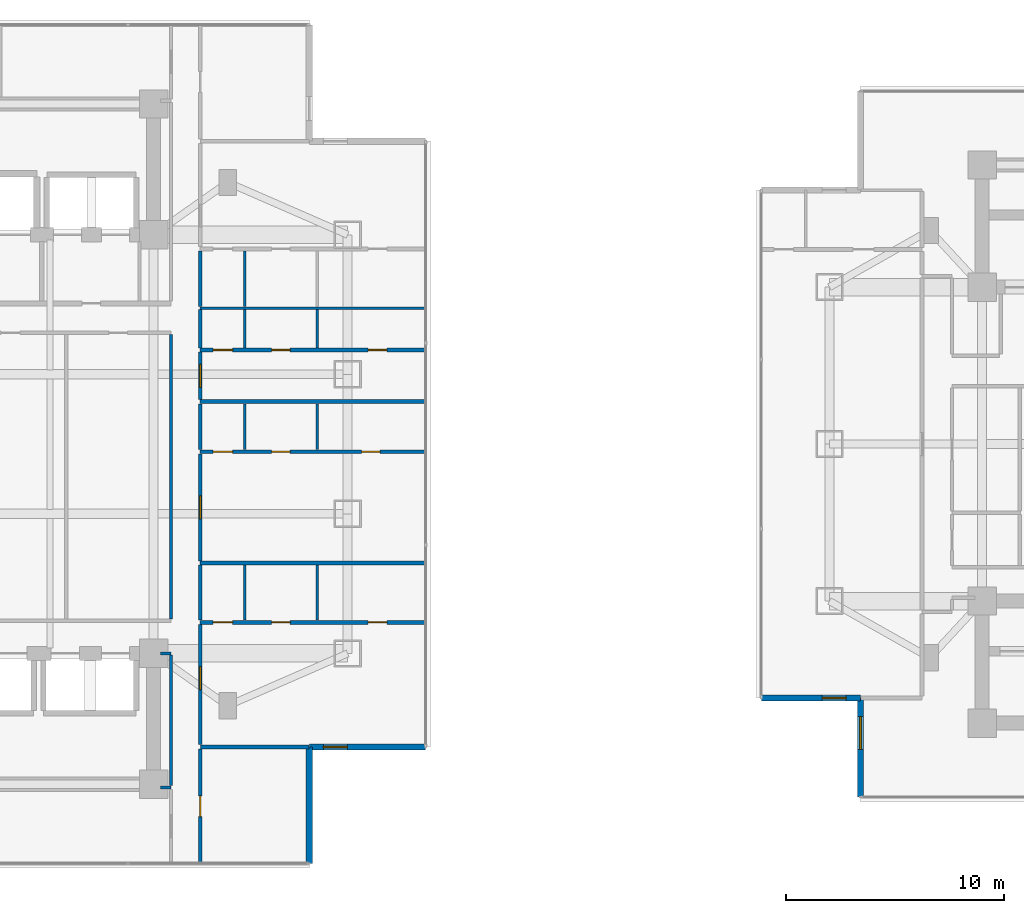
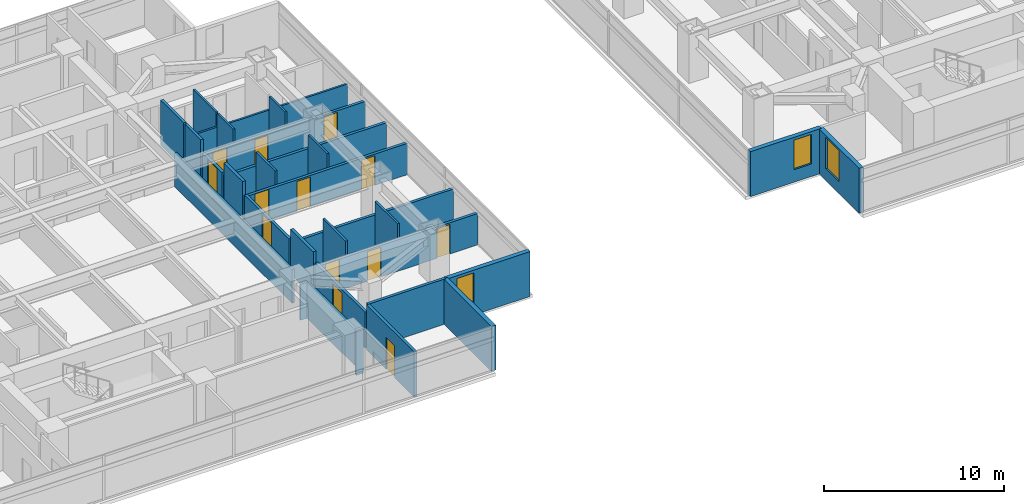
# One storey, part 15 of 24: 30 walls, 13 doors, 3 windows, 16 openings.
"""IFC4 building model written with IfcOpenShell, lengths in metres."""

import ifcopenshell
import ifcopenshell.guid

model = None  # the IFC model being written
_history = None  # IfcOwnerHistory: only IFC2X3 demands one
_inside = {}  # id of a spatial element -> (the spatial element, [elements in it])
_under = {}  # id of a project, library or spatial element -> (it, [spatial elements below it])
_declared = {}  # id of a project -> (the project, [libraries it declares])
_typed = {}  # id of a type object -> (the type object, [elements of that type])
_made_of = {}  # id of a material, layer set ... -> (it, [elements and type objects made of it])


def new_model(schema):
    """Start an empty IFC model of exactly this schema.

    Asked for "IFC4X3", IfcOpenShell would pick the latest addendum, in which some entities
    have other attributes; the version numbers below select the first issue.
    IFC2X3 requires an IfcOwnerHistory on every rooted entity: one is made here for all.
    """
    global model, _history
    if schema == "IFC4X3":
        model = ifcopenshell.file(schema_version=(4, 3, 0, 0))
    else:
        model = ifcopenshell.file(schema=schema)
    _inside.clear()
    _under.clear()
    _declared.clear()
    _typed.clear()
    _made_of.clear()
    _history = None
    if model.schema == "IFC2X3":
        org = make("IfcOrganization", Name="unknown")
        user = make(
            "IfcPersonAndOrganization",
            ThePerson=make("IfcPerson", FamilyName="unknown"),
            TheOrganization=org,
        )
        app = make(
            "IfcApplication",
            ApplicationDeveloper=org,
            Version="unknown",
            ApplicationFullName="unknown",
            ApplicationIdentifier="unknown",
        )
        _history = make(
            "IfcOwnerHistory",
            OwningUser=user,
            OwningApplication=app,
            ChangeAction="ADDED",
            CreationDate=0,
        )
    return model


def make(cls, **values):
    """One entity of the class cls with the attributes given. An attribute that is None is left unset."""
    return model.create_entity(
        cls, **{name: value for name, value in values.items() if value is not None}
    )


def rooted(cls, **values):
    """An entity with a GlobalId (a new one), such as an element, a storey or a relation."""
    return make(cls, GlobalId=ifcopenshell.guid.new(), OwnerHistory=_history, **values)


def si_unit(unit_type, name, prefix=None):
    """IfcSIUnit, for example si_unit("LENGTHUNIT", "METRE", prefix="MILLI")."""
    return make("IfcSIUnit", UnitType=unit_type, Prefix=prefix, Name=name)


def assignment(units):
    """IfcUnitAssignment: the units of a project."""
    return None if units is None else make("IfcUnitAssignment", Units=units)


def point(xyz):
    """IfcCartesianPoint."""
    return None if xyz is None else make("IfcCartesianPoint", Coordinates=xyz)


def direction(xyz):
    """IfcDirection."""
    return None if xyz is None else make("IfcDirection", DirectionRatios=xyz)


def frame(location, z_axis=None, x_axis=None):
    """IfcAxis2Placement3D, a coordinate frame: its origin and axes. An axis left out is left unset."""
    return make(
        "IfcAxis2Placement3D",
        Location=point(location),
        Axis=direction(z_axis),
        RefDirection=direction(x_axis),
    )


def frame_2d(location, x_axis=None):
    """IfcAxis2Placement2D, a coordinate frame in the plane: its origin and x axis."""
    return make(
        "IfcAxis2Placement2D", Location=point(location), RefDirection=direction(x_axis)
    )


def origin():
    """The frame at (0, 0, 0) with its axes left unset."""
    return frame((0.0, 0.0, 0.0))


def place(relative_to, where):
    """IfcLocalPlacement: puts the frame where relative to a parent placement (None: the world)."""
    return make(
        "IfcLocalPlacement", PlacementRelTo=relative_to, RelativePlacement=where
    )


def context(
    kind, dimensions, precision=None, world=None, true_north=None, identifier=None
):
    """IfcGeometricRepresentationContext, for example the 3D "Model" context."""
    return make(
        "IfcGeometricRepresentationContext",
        ContextIdentifier=identifier,
        ContextType=kind,
        CoordinateSpaceDimension=dimensions,
        Precision=precision,
        WorldCoordinateSystem=world,
        TrueNorth=true_north,
    )


def subcontext(parent, identifier, kind, view, scale=None):
    """IfcGeometricRepresentationSubContext, for example "Body" below "Model"."""
    return make(
        "IfcGeometricRepresentationSubContext",
        ContextIdentifier=identifier,
        ContextType=kind,
        ParentContext=parent,
        TargetScale=scale,
        TargetView=view,
    )


def project(units=None, contexts=None):
    """IfcProject with its units and contexts."""
    return rooted(
        "IfcProject",
        Name="project",
        RepresentationContexts=contexts,
        UnitsInContext=assignment(units),
    )


def spatial(cls, under=None, at=None, **own):
    """A site, building, storey or space (cls), placed at a placement, below another one or the project."""
    s = rooted(cls, ObjectPlacement=at, **own)
    if under is not None:
        _under.setdefault(under.id(), (under, []))[1].append(s)
    return s


def profile(cls, at=None, kind="AREA", **sizes):
    """A parametric profile (cls). Its sizes go by their IFC names, for example OverallWidth=200.0."""
    return make(cls, ProfileType=kind, Position=at, **sizes)


def rectangle(**sizes):
    """IfcRectangleProfileDef."""
    return profile("IfcRectangleProfileDef", **sizes)


def extrude(swept, where, along, depth):
    """IfcExtrudedAreaSolid: the profile swept, set in the frame where, extruded along a direction by depth."""
    return make(
        "IfcExtrudedAreaSolid",
        SweptArea=swept,
        Position=where,
        ExtrudedDirection=direction(along),
        Depth=depth,
    )


def shape(context_of_items, identifier, shape_type, items):
    """IfcShapeRepresentation: the items that make up one representation, for example the "Body"."""
    return make(
        "IfcShapeRepresentation",
        ContextOfItems=context_of_items,
        RepresentationIdentifier=identifier,
        RepresentationType=shape_type,
        Items=items,
    )


def material(Name=None, Category=None):
    """IfcMaterial."""
    return make("IfcMaterial", Name=Name, Category=Category)


def layer(
    of_material, thickness, ventilated=None, Name=None, Category=None, Priority=None
):
    """IfcMaterialLayer: one layer of a wall or slab, of a material (None: an air gap)."""
    return make(
        "IfcMaterialLayer",
        Material=of_material,
        LayerThickness=thickness,
        IsVentilated=ventilated,
        Name=Name,
        Category=Category,
        Priority=Priority,
    )


def layer_set(layers, Name=None):
    """IfcMaterialLayerSet."""
    return make("IfcMaterialLayerSet", MaterialLayers=layers, LayerSetName=Name)


def made_of(thing, what):
    """Note that an element or type object is made of a material, layer set ...; save() writes the relation."""
    if what is not None:
        _made_of.setdefault(what.id(), (what, []))[1].append(thing)
    return thing


def type_object(cls, material=None, **own):
    """A type object (cls), such as IfcWallType, which elements share."""
    return made_of(rooted(cls, **own), material)


def element(
    cls,
    number,
    at=None,
    inside=None,
    cuts=None,
    type_object=None,
    material=None,
    context=None,
    identifier="Body",
    shape_type=None,
    held_by="IfcProductDefinitionShape",
    body=None,
    shapes=None,
    **own,
):
    """One element of the class cls, such as IfcWall. Its Tag is "e" and its number.

    at: its placement. inside: the storey or other place that contains it. cuts: it is an
    opening in that element (IfcRelVoidsElement). A single representation is given by context,
    identifier, shape_type and body (its items); several are given by shapes. held_by: the class
    of the entity that holds the representations. save() writes the other relations.
    """
    e = rooted(cls, Tag="e%d" % number, ObjectPlacement=at, **own)
    if body is not None:
        shapes = [shape(context, identifier, shape_type, body)]
    if shapes is not None:
        e.Representation = make(held_by, Representations=shapes)
    if inside is not None:
        _inside.setdefault(inside.id(), (inside, []))[1].append(e)
    if cuts is not None:
        rooted(
            "IfcRelVoidsElement", RelatingBuildingElement=cuts, RelatedOpeningElement=e
        )
    if type_object is not None:
        _typed.setdefault(type_object.id(), (type_object, []))[1].append(e)
    return made_of(e, material)


def fill(opening, filler):
    """IfcRelFillsElement: the door or window that sits in an opening."""
    return rooted(
        "IfcRelFillsElement",
        RelatingOpeningElement=opening,
        RelatedBuildingElement=filler,
    )


def aggregate(whole, parts):
    """IfcRelAggregates: a whole, such as a stair, and the parts it consists of."""
    return rooted("IfcRelAggregates", RelatingObject=whole, RelatedObjects=parts)


def save(model, path):
    """Write the relations noted so far, then the file.

    IfcRelAggregates (storeys below a building ...), IfcRelContainedInSpatialStructure (elements
    in a storey), IfcRelDefinesByType, IfcRelAssociatesMaterial and IfcRelDeclares: one each for
    every whole, place, type object, material and project.
    """
    for whole, parts in _under.values():
        aggregate(whole, parts)
    for where, things in _inside.values():
        rooted(
            "IfcRelContainedInSpatialStructure",
            RelatedElements=things,
            RelatingStructure=where,
        )
    for kind, things in _typed.values():
        rooted("IfcRelDefinesByType", RelatedObjects=things, RelatingType=kind)
    for what, things in _made_of.values():
        rooted("IfcRelAssociatesMaterial", RelatedObjects=things, RelatingMaterial=what)
    for by, libraries in _declared.values():
        rooted("IfcRelDeclares", RelatingContext=by, RelatedDefinitions=libraries)
    model.write(path)


model = new_model("IFC4")

# Units and contexts
model_context = context("Model", 3, precision=1e-05, world=origin(), true_north=direction((0.0, 1.0)))
body_context = subcontext(model_context, "Body", "Model", "MODEL_VIEW")
ifc_project = project(units=[si_unit("LENGTHUNIT", "METRE"), si_unit("AREAUNIT", "SQUARE_METRE"), si_unit("VOLUMEUNIT", "CUBIC_METRE"), si_unit("PLANEANGLEUNIT", "RADIAN"), si_unit("MASSUNIT", "GRAM", prefix="KILO")], contexts=[model_context])

# Site, building, storey
site_placement = place(None, origin())
site = spatial("IfcSite", under=ifc_project, at=site_placement, CompositionType="ELEMENT")
building_placement = place(site_placement, origin())
building = spatial("IfcBuilding", under=site, at=building_placement, Name="Mirazonda Arch Towers", CompositionType="ELEMENT")
storey_placement = place(building_placement, frame((0.0, 0.0, 68.60009765625)))
storey = spatial("IfcBuildingStorey", under=building, at=storey_placement, Name="L19", CompositionType="ELEMENT", Elevation=68.60009765625)

# Wall, opening, window
ifc_material_1 = material(Name="Precast Concrete C40/50", Category="concrete")
ifc_layer_1 = layer(ifc_material_1, 0.280029296875, Name="WALL-EXT-WALL-280")
ifc_layer_set_1 = layer_set([ifc_layer_1], Name="Precast Concrete C40/50")
wall_type_1 = type_object("IfcWallType", Name="WALL-EXT-WALL-280", PredefinedType="SOLIDWALL", material=ifc_layer_set_1)
wall_1_placement = place(storey_placement, frame((37.139892578125, 14.110107421875, 0.0), z_axis=(0.0, 0.0, 1.0), x_axis=(1.0, 0.0, 0.0)))
wall_1 = element("IfcWall", 1, at=wall_1_placement, inside=storey, type_object=wall_type_1, Name="L19 T1 Corner Notch Return Wall WL-L19-T1-CSE1", PredefinedType="SOLIDWALL", context=body_context, shape_type="SweptSolid", body=[
    extrude(rectangle(XDim=5.340087890625, YDim=0.280029296875, at=frame_2d((2.669921875, 0.0))), origin(), (0.0, 0.0, 1.0), 3.039794921875),
])
opening_1_placement = place(wall_1_placement, frame((0.64990234375, 0.0, 0.85009765625)))
opening_1 = element("IfcOpeningElement", 2, at=opening_1_placement, cuts=wall_1, Name="Opening WN-108", PredefinedType="OPENING", context=body_context, shape_type="SweptSolid", body=[
    extrude(rectangle(XDim=1.10009765625, YDim=2.0, at=frame_2d((0.550048828125, 1.0))), frame((0.0, 0.14990234375, 0.0), z_axis=(0.0, -1.0, 0.0), x_axis=(1.0, 0.0, 0.0)), (0.0, 0.0, 1.0), 0.300048828125),
])
ifc_material_2 = material(Name="Insulated Low-E Solar Glass", Category="glass")
window_type_1 = type_object("IfcWindowType", Name="WIN-NOTCH-1100x2000", PartitioningType="SINGLE_PANEL", PredefinedType="WINDOW", material=ifc_material_2)
window_1_placement = place(opening_1_placement, origin())
window_1 = element("IfcWindow", 3, at=window_1_placement, inside=storey, type_object=window_type_1, Name="L19 Punched Facade Window WN-L19-T1-CSE1", OverallHeight=2.0, OverallWidth=1.10009765625, PartitioningType="SINGLE_PANEL", PredefinedType="WINDOW", context=body_context, shape_type="SweptSolid", body=[
    extrude(rectangle(XDim=1.10009765625, YDim=2.0, at=frame_2d((0.550048828125, 1.0))), frame((0.0, 0.030029296875, 0.0), z_axis=(0.0, -1.0, 0.0), x_axis=(1.0, 0.0, 0.0)), (0.0, 0.0, 1.0), 0.06005859375),
])
fill(opening_1, window_1)

# Wall
wall_2_placement = place(storey_placement, frame((37.139892578125, 8.77001953125, 0.0), z_axis=(0.0, 0.0, 1.0), x_axis=(0.0, 1.0, 0.0)))
element("IfcWall", 4, at=wall_2_placement, inside=storey, type_object=wall_type_1, Name="L19 T1 Corner Notch Return Wall WL-L19-T1-CSE2", PredefinedType="SOLIDWALL", context=body_context, shape_type="SweptSolid", body=[
    extrude(rectangle(XDim=5.340087890625, YDim=0.280029296875, at=frame_2d((2.669921875, 0.0))), origin(), (0.0, 0.0, 1.0), 3.039794921875),
])

# Wall, opening, window
wall_3_placement = place(storey_placement, frame((62.416015625, 16.353515625, 0.0), z_axis=(0.0, 0.0, 1.0), x_axis=(0.0, -1.0, 0.0)))
wall_3 = element("IfcWall", 5, at=wall_3_placement, inside=storey, type_object=wall_type_1, Name="L19 T2 Notched SW Corner Wall WL-L19-T2-CSW", PredefinedType="SOLIDWALL", context=body_context, shape_type="SweptSolid", body=[
    extrude(rectangle(XDim=4.5458984375, YDim=0.280029296875, at=frame_2d((2.27294921875, 0.0))), origin(), (0.0, 0.0, 1.0), 3.039794921875),
])
opening_2_placement = place(wall_3_placement, frame((0.85009765625, 0.0, 0.7900390625)))
opening_2 = element("IfcOpeningElement", 6, at=opening_2_placement, cuts=wall_3, Name="Opening WN-120", PredefinedType="OPENING", context=body_context, shape_type="SweptSolid", body=[
    extrude(rectangle(XDim=1.5, YDim=2.10009765625, at=frame_2d((0.75, 1.050048828125))), frame((0.0, 0.14990234375, 0.0), z_axis=(0.0, -1.0, 0.0), x_axis=(1.0, 0.0, 0.0)), (0.0, 0.0, 1.0), 0.300048828125),
])
window_type_2 = type_object("IfcWindowType", Name="WIN-HTL-1500x2100", PartitioningType="SINGLE_PANEL", PredefinedType="WINDOW", material=ifc_material_2)
window_2_placement = place(opening_2_placement, origin())
window_2 = element("IfcWindow", 7, at=window_2_placement, inside=storey, type_object=window_type_2, Name="L19 Punched Facade Window WN-L19-T2-CSW", OverallHeight=2.10009765625, OverallWidth=1.5, PartitioningType="SINGLE_PANEL", PredefinedType="WINDOW", context=body_context, shape_type="SweptSolid", body=[
    extrude(rectangle(XDim=1.5, YDim=2.10009765625, at=frame_2d((0.75, 1.050048828125))), frame((0.0, 0.030029296875, 0.0), z_axis=(0.0, -1.0, 0.0), x_axis=(1.0, 0.0, 0.0)), (0.0, 0.0, 1.0), 0.06005859375),
])
fill(opening_2, window_2)

wall_4_placement = place(storey_placement, frame((57.8701171875, 16.353515625, 0.0), z_axis=(0.0, 0.0, 1.0), x_axis=(1.0, 0.0, 0.0)))
wall_4 = element("IfcWall", 8, at=wall_4_placement, inside=storey, type_object=wall_type_1, Name="L19 T2 Corner Notch Return Wall WL-L19-T2-CSW2", PredefinedType="SOLIDWALL", context=body_context, shape_type="SweptSolid", body=[
    extrude(rectangle(XDim=4.5458984375, YDim=0.280029296875, at=frame_2d((2.27294921875, 0.0))), origin(), (0.0, 0.0, 1.0), 3.039794921875),
])
opening_3_placement = place(wall_4_placement, frame((2.7958984375, 0.0, 0.85009765625)))
opening_3 = element("IfcOpeningElement", 9, at=opening_3_placement, cuts=wall_4, Name="Opening WN-108", PredefinedType="OPENING", context=body_context, shape_type="SweptSolid", body=[
    extrude(rectangle(XDim=1.10009765625, YDim=2.0, at=frame_2d((0.550048828125, 1.0))), frame((0.0, 0.14990234375, 0.0), z_axis=(0.0, -1.0, 0.0), x_axis=(1.0, 0.0, 0.0)), (0.0, 0.0, 1.0), 0.300048828125),
])
window_3_placement = place(opening_3_placement, origin())
window_3 = element("IfcWindow", 10, at=window_3_placement, inside=storey, type_object=window_type_1, Name="L19 Punched Facade Window WN-L19-T2-CSW2", OverallHeight=2.0, OverallWidth=1.10009765625, PartitioningType="SINGLE_PANEL", PredefinedType="WINDOW", context=body_context, shape_type="SweptSolid", body=[
    extrude(rectangle(XDim=1.10009765625, YDim=2.0, at=frame_2d((0.550048828125, 1.0))), frame((0.0, 0.030029296875, 0.0), z_axis=(0.0, -1.0, 0.0), x_axis=(1.0, 0.0, 0.0)), (0.0, 0.0, 1.0), 0.06005859375),
])
fill(opening_3, window_3)

# Walls
ifc_material_3 = material(Name="Fire-Rated Gypsum Stud Partition")
ifc_layer_2 = layer(ifc_material_3, 0.14990234375, Name="WALL-PART-CORR-150")
ifc_layer_set_2 = layer_set([ifc_layer_2], Name="Fire-Rated Gypsum Stud Partition")
wall_type_2 = type_object("IfcWallType", Name="WALL-PART-CORR-150", PredefinedType="PARTITIONING", material=ifc_layer_set_2)
wall_5_placement = place(storey_placement, frame((30.320068359375, 12.25, 0.0), z_axis=(0.0, 0.0, 1.0), x_axis=(1.0, 0.0, 0.0)))
element("IfcWall", 11, at=wall_5_placement, inside=storey, type_object=wall_type_2, Name="L19 Interior Partition 002", PredefinedType="PARTITIONING", context=body_context, shape_type="SweptSolid", body=[
    extrude(rectangle(XDim=0.47998046875, YDim=0.14990234375, at=frame_2d((0.239990234375, 0.0))), origin(), (0.0, 0.0, 1.0), 3.059814453125),
])
wall_6_placement = place(storey_placement, frame((30.320068359375, 18.39990234375, 0.0), z_axis=(0.0, 0.0, 1.0), x_axis=(1.0, 0.0, 0.0)))
element("IfcWall", 12, at=wall_6_placement, inside=storey, type_object=wall_type_2, Name="L19 Interior Partition 013", PredefinedType="PARTITIONING", context=body_context, shape_type="SweptSolid", body=[
    extrude(rectangle(XDim=0.47998046875, YDim=0.14990234375, at=frame_2d((0.239990234375, 0.0))), origin(), (0.0, 0.0, 1.0), 2.435791015625),
])
wall_7_placement = place(storey_placement, frame((30.800048828125, 12.3349609375, 0.0), z_axis=(0.0, 0.0, 1.0), x_axis=(0.0, 1.0, 0.0)))
element("IfcWall", 13, at=wall_7_placement, inside=storey, type_object=wall_type_2, Name="L19 Interior Partition 097", PredefinedType="PARTITIONING", context=body_context, shape_type="SweptSolid", body=[
    extrude(rectangle(XDim=5.97998046875, YDim=0.14990234375, at=frame_2d((2.989990234375, 0.0))), origin(), (0.0, 0.0, 1.0), 2.435791015625),
])
wall_8_placement = place(storey_placement, frame((30.800048828125, 19.985107421875, 0.0), z_axis=(0.0, 0.0, 1.0), x_axis=(0.0, 1.0, 0.0)))
element("IfcWall", 14, at=wall_8_placement, inside=storey, type_object=wall_type_2, Name="L19 Interior Partition 098", PredefinedType="PARTITIONING", context=body_context, shape_type="SweptSolid", body=[
    extrude(rectangle(XDim=13.02978515625, YDim=0.14990234375, at=frame_2d((6.514892578125, 0.0))), origin(), (0.0, 0.0, 1.0), 2.27880859375),
])
ifc_material_4 = material(Name="Fire-Rated Gypsum Twin-Stud Assembly")
ifc_layer_3 = layer(ifc_material_4, 0.179931640625, Name="WALL-PART-DEMISE-180")
ifc_layer_set_3 = layer_set([ifc_layer_3], Name="Fire-Rated Gypsum Twin-Stud Assembly")
wall_type_3 = type_object("IfcWallType", Name="WALL-PART-DEMISE-180", PredefinedType="PARTITIONING", material=ifc_layer_set_3)
wall_9_placement = place(storey_placement, frame((32.139892578125, 14.110107421875, 0.0), z_axis=(0.0, 0.0, 1.0), x_axis=(1.0, 0.0, 0.0)))
element("IfcWall", 15, at=wall_9_placement, inside=storey, type_object=wall_type_3, Name="L19 Interior Partition 005", PredefinedType="PARTITIONING", context=body_context, shape_type="SweptSolid", body=[
    extrude(rectangle(XDim=4.980224609375, YDim=0.179931640625, at=frame_2d((2.490234375, 0.0))), origin(), (0.0, 0.0, 1.0), 3.059814453125),
])

# Wall, openings, doors
wall_10_placement = place(storey_placement, frame((32.139892578125, 19.825927734375, 0.0), z_axis=(0.0, 0.0, 1.0), x_axis=(1.0, 0.0, 0.0)))
wall_10 = element("IfcWall", 16, at=wall_10_placement, inside=storey, type_object=wall_type_3, Name="L19 Interior Partition 016", PredefinedType="PARTITIONING", context=body_context, shape_type="SweptSolid", body=[
    extrude(rectangle(XDim=10.340087890625, YDim=0.179931640625, at=frame_2d((5.169921875, 0.0))), origin(), (0.0, 0.0, 1.0), 2.125),
])
opening_4_placement = place(wall_10_placement, frame((7.705078125, 0.0, 0.0)))
opening_4 = element("IfcOpeningElement", 17, at=opening_4_placement, cuts=wall_10, Name="Opening DR-128", PredefinedType="OPENING", context=body_context, shape_type="SweptSolid", body=[
    extrude(rectangle(XDim=0.85009765625, YDim=2.010009765625, at=frame_2d((0.425048828125, 1.0048828125))), frame((0.0, 0.099853515625, 0.0), z_axis=(0.0, -1.0, 0.0), x_axis=(1.0, 0.0, 0.0)), (0.0, 0.0, 1.0), 0.199951171875),
])
opening_5_placement = place(wall_10_placement, frame((3.27490234375, 0.0, 0.0)))
opening_5 = element("IfcOpeningElement", 18, at=opening_5_placement, cuts=wall_10, Name="Opening DR-128", PredefinedType="OPENING", context=body_context, shape_type="SweptSolid", body=[
    extrude(rectangle(XDim=0.85009765625, YDim=2.010009765625, at=frame_2d((0.425048828125, 1.0048828125))), frame((0.0, 0.099853515625, 0.0), z_axis=(0.0, -1.0, 0.0), x_axis=(1.0, 0.0, 0.0)), (0.0, 0.0, 1.0), 0.199951171875),
])
opening_6_placement = place(wall_10_placement, frame((0.590087890625, 0.0, 0.0)))
opening_6 = element("IfcOpeningElement", 19, at=opening_6_placement, cuts=wall_10, Name="Opening DR-120", PredefinedType="OPENING", context=body_context, shape_type="SweptSolid", body=[
    extrude(rectangle(XDim=0.89990234375, YDim=2.10009765625, at=frame_2d((0.449951171875, 1.050048828125))), frame((0.0, 0.099853515625, 0.0), z_axis=(0.0, -1.0, 0.0), x_axis=(1.0, 0.0, 0.0)), (0.0, 0.0, 1.0), 0.199951171875),
])
ifc_material_5 = material(Name="Architectural Brushed Steel S355", Category="steel")
door_type_1 = type_object("IfcDoorType", Name="DOOR-RISER-FD60-850", OperationType="NOTDEFINED", PredefinedType="DOOR", material=ifc_material_5)
door_1_placement = place(opening_4_placement, origin())
door_1 = element("IfcDoor", 20, at=door_1_placement, inside=storey, type_object=door_type_1, Name="L19 Residence 1 Principal Bedroom Door", OperationType="SINGLE_SWING_RIGHT", OverallHeight=2.010009765625, OverallWidth=0.85009765625, PredefinedType="DOOR", context=body_context, shape_type="SweptSolid", body=[
    extrude(rectangle(XDim=0.85009765625, YDim=2.010009765625, at=frame_2d((0.425048828125, 1.0048828125))), frame((0.0, 0.02490234375, 0.0), z_axis=(0.0, -1.0, 0.0), x_axis=(1.0, 0.0, 0.0)), (0.0, 0.0, 1.0), 0.050048828125),
])
fill(opening_4, door_1)
door_2_placement = place(opening_5_placement, origin())
door_2 = element("IfcDoor", 21, at=door_2_placement, inside=storey, type_object=door_type_1, Name="L19 Residence 1 Fitted Kitchen Door", OperationType="SINGLE_SWING_LEFT", OverallHeight=2.010009765625, OverallWidth=0.85009765625, PredefinedType="DOOR", context=body_context, shape_type="SweptSolid", body=[
    extrude(rectangle(XDim=0.85009765625, YDim=2.010009765625, at=frame_2d((0.425048828125, 1.0048828125))), frame((0.0, 0.02490234375, 0.0), z_axis=(0.0, -1.0, 0.0), x_axis=(1.0, 0.0, 0.0)), (0.0, 0.0, 1.0), 0.050048828125),
])
fill(opening_5, door_2)
door_type_2 = type_object("IfcDoorType", Name="DOOR-WC-900", OperationType="NOTDEFINED", PredefinedType="DOOR", material=ifc_material_5)
door_3_placement = place(opening_6_placement, origin())
door_3 = element("IfcDoor", 22, at=door_3_placement, inside=storey, type_object=door_type_2, Name="L19 Residence 1 Bathroom Door", OperationType="SINGLE_SWING_RIGHT", OverallHeight=2.10009765625, OverallWidth=0.89990234375, PredefinedType="DOOR", context=body_context, shape_type="SweptSolid", body=[
    extrude(rectangle(XDim=0.89990234375, YDim=2.10009765625, at=frame_2d((0.449951171875, 1.050048828125))), frame((0.0, 0.02490234375, 0.0), z_axis=(0.0, -1.0, 0.0), x_axis=(1.0, 0.0, 0.0)), (0.0, 0.0, 1.0), 0.050048828125),
])
fill(opening_6, door_3)

# Wall
wall_11_placement = place(storey_placement, frame((32.139892578125, 22.5458984375, 0.0), z_axis=(0.0, 0.0, 1.0), x_axis=(1.0, 0.0, 0.0)))
element("IfcWall", 23, at=wall_11_placement, inside=storey, type_object=wall_type_3, Name="L19 Interior Partition 022", PredefinedType="PARTITIONING", context=body_context, shape_type="SweptSolid", body=[
    extrude(rectangle(XDim=10.340087890625, YDim=0.179931640625, at=frame_2d((5.169921875, 0.0))), origin(), (0.0, 0.0, 1.0), 2.125),
])

# Wall, openings, doors
wall_12_placement = place(storey_placement, frame((32.139892578125, 27.64794921875, 0.0), z_axis=(0.0, 0.0, 1.0), x_axis=(1.0, 0.0, 0.0)))
wall_12 = element("IfcWall", 24, at=wall_12_placement, inside=storey, type_object=wall_type_3, Name="L19 Interior Partition 031", PredefinedType="PARTITIONING", context=body_context, shape_type="SweptSolid", body=[
    extrude(rectangle(XDim=10.340087890625, YDim=0.179931640625, at=frame_2d((5.169921875, 0.0))), origin(), (0.0, 0.0, 1.0), 2.125),
])
opening_7_placement = place(wall_12_placement, frame((7.405029296875, 0.0, 0.0)))
opening_7 = element("IfcOpeningElement", 25, at=opening_7_placement, cuts=wall_12, Name="Opening DR-128", PredefinedType="OPENING", context=body_context, shape_type="SweptSolid", body=[
    extrude(rectangle(XDim=0.85009765625, YDim=2.010009765625, at=frame_2d((0.425048828125, 1.0048828125))), frame((0.0, 0.099853515625, 0.0), z_axis=(0.0, -1.0, 0.0), x_axis=(1.0, 0.0, 0.0)), (0.0, 0.0, 1.0), 0.199951171875),
])
opening_8_placement = place(wall_12_placement, frame((3.27490234375, 0.0, 0.0)))
opening_8 = element("IfcOpeningElement", 26, at=opening_8_placement, cuts=wall_12, Name="Opening DR-128", PredefinedType="OPENING", context=body_context, shape_type="SweptSolid", body=[
    extrude(rectangle(XDim=0.85009765625, YDim=2.010009765625, at=frame_2d((0.425048828125, 1.0048828125))), frame((0.0, 0.099853515625, 0.0), z_axis=(0.0, -1.0, 0.0), x_axis=(1.0, 0.0, 0.0)), (0.0, 0.0, 1.0), 0.199951171875),
])
opening_9_placement = place(wall_12_placement, frame((0.590087890625, 0.0, 0.0)))
opening_9 = element("IfcOpeningElement", 27, at=opening_9_placement, cuts=wall_12, Name="Opening DR-120", PredefinedType="OPENING", context=body_context, shape_type="SweptSolid", body=[
    extrude(rectangle(XDim=0.89990234375, YDim=2.10009765625, at=frame_2d((0.449951171875, 1.050048828125))), frame((0.0, 0.099853515625, 0.0), z_axis=(0.0, -1.0, 0.0), x_axis=(1.0, 0.0, 0.0)), (0.0, 0.0, 1.0), 0.199951171875),
])
door_4_placement = place(opening_7_placement, origin())
door_4 = element("IfcDoor", 28, at=door_4_placement, inside=storey, type_object=door_type_1, Name="L19 Residence 2 Principal Bedroom Door", OperationType="SINGLE_SWING_RIGHT", OverallHeight=2.010009765625, OverallWidth=0.85009765625, PredefinedType="DOOR", context=body_context, shape_type="SweptSolid", body=[
    extrude(rectangle(XDim=0.85009765625, YDim=2.010009765625, at=frame_2d((0.425048828125, 1.0048828125))), frame((0.0, 0.02490234375, 0.0), z_axis=(0.0, -1.0, 0.0), x_axis=(1.0, 0.0, 0.0)), (0.0, 0.0, 1.0), 0.050048828125),
])
fill(opening_7, door_4)
door_5_placement = place(opening_8_placement, origin())
door_5 = element("IfcDoor", 29, at=door_5_placement, inside=storey, type_object=door_type_1, Name="L19 Residence 2 Fitted Kitchen Door", OperationType="SINGLE_SWING_LEFT", OverallHeight=2.010009765625, OverallWidth=0.85009765625, PredefinedType="DOOR", context=body_context, shape_type="SweptSolid", body=[
    extrude(rectangle(XDim=0.85009765625, YDim=2.010009765625, at=frame_2d((0.425048828125, 1.0048828125))), frame((0.0, 0.02490234375, 0.0), z_axis=(0.0, -1.0, 0.0), x_axis=(1.0, 0.0, 0.0)), (0.0, 0.0, 1.0), 0.050048828125),
])
fill(opening_8, door_5)
door_6_placement = place(opening_9_placement, origin())
door_6 = element("IfcDoor", 30, at=door_6_placement, inside=storey, type_object=door_type_2, Name="L19 Residence 2 Bathroom Door", OperationType="SINGLE_SWING_RIGHT", OverallHeight=2.10009765625, OverallWidth=0.89990234375, PredefinedType="DOOR", context=body_context, shape_type="SweptSolid", body=[
    extrude(rectangle(XDim=0.89990234375, YDim=2.10009765625, at=frame_2d((0.449951171875, 1.050048828125))), frame((0.0, 0.02490234375, 0.0), z_axis=(0.0, -1.0, 0.0), x_axis=(1.0, 0.0, 0.0)), (0.0, 0.0, 1.0), 0.050048828125),
])
fill(opening_9, door_6)

# Wall
wall_13_placement = place(storey_placement, frame((32.139892578125, 29.947998046875, 0.0), z_axis=(0.0, 0.0, 1.0), x_axis=(1.0, 0.0, 0.0)))
element("IfcWall", 31, at=wall_13_placement, inside=storey, type_object=wall_type_3, Name="L19 Interior Partition 033", PredefinedType="PARTITIONING", context=body_context, shape_type="SweptSolid", body=[
    extrude(rectangle(XDim=10.340087890625, YDim=0.179931640625, at=frame_2d((5.169921875, 0.0))), origin(), (0.0, 0.0, 1.0), 2.125),
])

# Wall, openings, doors
wall_14_placement = place(storey_placement, frame((32.139892578125, 32.31396484375, 0.0), z_axis=(0.0, 0.0, 1.0), x_axis=(1.0, 0.0, 0.0)))
wall_14 = element("IfcWall", 32, at=wall_14_placement, inside=storey, type_object=wall_type_3, Name="L19 Interior Partition 037", PredefinedType="PARTITIONING", context=body_context, shape_type="SweptSolid", body=[
    extrude(rectangle(XDim=10.340087890625, YDim=0.179931640625, at=frame_2d((5.169921875, 0.0))), origin(), (0.0, 0.0, 1.0), 2.125),
])
opening_10_placement = place(wall_14_placement, frame((7.705078125, 0.0, 0.0)))
opening_10 = element("IfcOpeningElement", 33, at=opening_10_placement, cuts=wall_14, Name="Opening DR-128", PredefinedType="OPENING", context=body_context, shape_type="SweptSolid", body=[
    extrude(rectangle(XDim=0.85009765625, YDim=2.010009765625, at=frame_2d((0.425048828125, 1.0048828125))), frame((0.0, 0.099853515625, 0.0), z_axis=(0.0, -1.0, 0.0), x_axis=(1.0, 0.0, 0.0)), (0.0, 0.0, 1.0), 0.199951171875),
])
opening_11_placement = place(wall_14_placement, frame((3.27490234375, 0.0, 0.0)))
opening_11 = element("IfcOpeningElement", 34, at=opening_11_placement, cuts=wall_14, Name="Opening DR-128", PredefinedType="OPENING", context=body_context, shape_type="SweptSolid", body=[
    extrude(rectangle(XDim=0.85009765625, YDim=2.010009765625, at=frame_2d((0.425048828125, 1.0048828125))), frame((0.0, 0.099853515625, 0.0), z_axis=(0.0, -1.0, 0.0), x_axis=(1.0, 0.0, 0.0)), (0.0, 0.0, 1.0), 0.199951171875),
])
opening_12_placement = place(wall_14_placement, frame((0.590087890625, 0.0, 0.0)))
opening_12 = element("IfcOpeningElement", 35, at=opening_12_placement, cuts=wall_14, Name="Opening DR-120", PredefinedType="OPENING", context=body_context, shape_type="SweptSolid", body=[
    extrude(rectangle(XDim=0.89990234375, YDim=2.10009765625, at=frame_2d((0.449951171875, 1.050048828125))), frame((0.0, 0.099853515625, 0.0), z_axis=(0.0, -1.0, 0.0), x_axis=(1.0, 0.0, 0.0)), (0.0, 0.0, 1.0), 0.199951171875),
])
door_7_placement = place(opening_10_placement, origin())
door_7 = element("IfcDoor", 36, at=door_7_placement, inside=storey, type_object=door_type_1, Name="L19 Residence 3 Principal Bedroom Door", OperationType="SINGLE_SWING_RIGHT", OverallHeight=2.010009765625, OverallWidth=0.85009765625, PredefinedType="DOOR", context=body_context, shape_type="SweptSolid", body=[
    extrude(rectangle(XDim=0.85009765625, YDim=2.010009765625, at=frame_2d((0.425048828125, 1.0048828125))), frame((0.0, 0.02490234375, 0.0), z_axis=(0.0, -1.0, 0.0), x_axis=(1.0, 0.0, 0.0)), (0.0, 0.0, 1.0), 0.050048828125),
])
fill(opening_10, door_7)
door_8_placement = place(opening_11_placement, origin())
door_8 = element("IfcDoor", 37, at=door_8_placement, inside=storey, type_object=door_type_1, Name="L19 Residence 3 Fitted Kitchen Door", OperationType="SINGLE_SWING_LEFT", OverallHeight=2.010009765625, OverallWidth=0.85009765625, PredefinedType="DOOR", context=body_context, shape_type="SweptSolid", body=[
    extrude(rectangle(XDim=0.85009765625, YDim=2.010009765625, at=frame_2d((0.425048828125, 1.0048828125))), frame((0.0, 0.02490234375, 0.0), z_axis=(0.0, -1.0, 0.0), x_axis=(1.0, 0.0, 0.0)), (0.0, 0.0, 1.0), 0.050048828125),
])
fill(opening_11, door_8)
door_9_placement = place(opening_12_placement, origin())
door_9 = element("IfcDoor", 38, at=door_9_placement, inside=storey, type_object=door_type_2, Name="L19 Residence 3 Bathroom Door", OperationType="SINGLE_SWING_RIGHT", OverallHeight=2.10009765625, OverallWidth=0.89990234375, PredefinedType="DOOR", context=body_context, shape_type="SweptSolid", body=[
    extrude(rectangle(XDim=0.89990234375, YDim=2.10009765625, at=frame_2d((0.449951171875, 1.050048828125))), frame((0.0, 0.02490234375, 0.0), z_axis=(0.0, -1.0, 0.0), x_axis=(1.0, 0.0, 0.0)), (0.0, 0.0, 1.0), 0.050048828125),
])
fill(opening_12, door_9)

# Wall, opening, door
wall_15_placement = place(storey_placement, frame((32.139892578125, 8.77001953125, 0.0), z_axis=(0.0, 0.0, 1.0), x_axis=(0.0, 1.0, 0.0)))
wall_15 = element("IfcWall", 39, at=wall_15_placement, inside=storey, type_object=wall_type_3, Name="L19 Interior Partition 101", PredefinedType="PARTITIONING", context=body_context, shape_type="SweptSolid", body=[
    extrude(rectangle(XDim=5.239990234375, YDim=0.179931640625, at=frame_2d((2.6201171875, 0.0))), origin(), (0.0, 0.0, 1.0), 3.059814453125),
])
opening_13_placement = place(wall_15_placement, frame((2.14501953125, 0.0, 0.0)))
opening_13 = element("IfcOpeningElement", 40, at=opening_13_placement, cuts=wall_15, Name="Opening DR-104", PredefinedType="OPENING", context=body_context, shape_type="SweptSolid", body=[
    extrude(rectangle(XDim=0.949951171875, YDim=2.14990234375, at=frame_2d((0.47509765625, 1.074951171875))), frame((0.0, 0.099853515625, 0.0), z_axis=(0.0, -1.0, 0.0), x_axis=(1.0, 0.0, 0.0)), (0.0, 0.0, 1.0), 0.199951171875),
])
door_type_3 = type_object("IfcDoorType", Name="DOOR-ROOM-950", OperationType="NOTDEFINED", PredefinedType="DOOR", material=ifc_material_5)
door_10_placement = place(opening_13_placement, origin())
door_10 = element("IfcDoor", 41, at=door_10_placement, inside=storey, type_object=door_type_3, Name="L19 South Panoramic Study Alcove East Door", OperationType="SINGLE_SWING_LEFT", OverallHeight=2.14990234375, OverallWidth=0.949951171875, PredefinedType="DOOR", context=body_context, shape_type="SweptSolid", body=[
    extrude(rectangle(XDim=0.949951171875, YDim=2.14990234375, at=frame_2d((0.47509765625, 1.074951171875))), frame((0.0, 0.02490234375, 0.0), z_axis=(0.0, -1.0, 0.0), x_axis=(1.0, 0.0, 0.0)), (0.0, 0.0, 1.0), 0.050048828125),
])
fill(opening_13, door_10)

wall_16_placement = place(storey_placement, frame((32.139892578125, 14.2099609375, 0.0), z_axis=(0.0, 0.0, 1.0), x_axis=(0.0, 1.0, 0.0)))
wall_16 = element("IfcWall", 42, at=wall_16_placement, inside=storey, type_object=wall_type_3, Name="L19 Interior Partition 102", PredefinedType="PARTITIONING", context=body_context, shape_type="SweptSolid", body=[
    extrude(rectangle(XDim=5.51611328125, YDim=0.179931640625, at=frame_2d((2.758056640625, 0.0))), origin(), (0.0, 0.0, 1.0), 2.435791015625),
])
opening_14_placement = place(wall_16_placement, frame((2.532958984375, 0.0, 0.0)))
opening_14 = element("IfcOpeningElement", 43, at=opening_14_placement, cuts=wall_16, Name="Opening DR-121", PredefinedType="OPENING", context=body_context, shape_type="SweptSolid", body=[
    extrude(rectangle(XDim=1.050048828125, YDim=2.199951171875, at=frame_2d((0.52490234375, 1.10009765625))), frame((0.0, 0.099853515625, 0.0), z_axis=(0.0, -1.0, 0.0), x_axis=(1.0, 0.0, 0.0)), (0.0, 0.0, 1.0), 0.199951171875),
])
door_type_4 = type_object("IfcDoorType", Name="DOOR-SUITE-FD60-1050", OperationType="NOTDEFINED", PredefinedType="DOOR", material=ifc_material_5)
door_11_placement = place(opening_14_placement, origin())
door_11 = element("IfcDoor", 44, at=door_11_placement, inside=storey, type_object=door_type_4, Name="L19 Residence 1 Living & Dining Salon Door", OperationType="SINGLE_SWING_LEFT", OverallHeight=2.199951171875, OverallWidth=1.050048828125, PredefinedType="DOOR", context=body_context, shape_type="SweptSolid", body=[
    extrude(rectangle(XDim=1.050048828125, YDim=2.199951171875, at=frame_2d((0.52490234375, 1.10009765625))), frame((0.0, 0.02490234375, 0.0), z_axis=(0.0, -1.0, 0.0), x_axis=(1.0, 0.0, 0.0)), (0.0, 0.0, 1.0), 0.050048828125),
])
fill(opening_14, door_11)

# Wall
wall_17_placement = place(storey_placement, frame((32.139892578125, 19.926025390625, 0.0), z_axis=(0.0, 0.0, 1.0), x_axis=(0.0, 1.0, 0.0)))
element("IfcWall", 45, at=wall_17_placement, inside=storey, type_object=wall_type_3, Name="L19 Interior Partition 103", PredefinedType="PARTITIONING", context=body_context, shape_type="SweptSolid", body=[
    extrude(rectangle(XDim=2.52001953125, YDim=0.179931640625, at=frame_2d((1.260009765625, 0.0))), origin(), (0.0, 0.0, 1.0), 3.059814453125),
])

# Wall, opening, door
wall_18_placement = place(storey_placement, frame((32.139892578125, 22.64599609375, 0.0), z_axis=(0.0, 0.0, 1.0), x_axis=(0.0, 1.0, 0.0)))
wall_18 = element("IfcWall", 46, at=wall_18_placement, inside=storey, type_object=wall_type_3, Name="L19 Interior Partition 104", PredefinedType="PARTITIONING", context=body_context, shape_type="SweptSolid", body=[
    extrude(rectangle(XDim=4.902099609375, YDim=0.179931640625, at=frame_2d((2.451171875, 0.0))), origin(), (0.0, 0.0, 1.0), 2.27880859375),
])
opening_15_placement = place(wall_18_placement, frame((1.926025390625, 0.0, 0.0)))
opening_15 = element("IfcOpeningElement", 47, at=opening_15_placement, cuts=wall_18, Name="Opening DR-121", PredefinedType="OPENING", context=body_context, shape_type="SweptSolid", body=[
    extrude(rectangle(XDim=1.050048828125, YDim=2.199951171875, at=frame_2d((0.52490234375, 1.10009765625))), frame((0.0, 0.099853515625, 0.0), z_axis=(0.0, -1.0, 0.0), x_axis=(1.0, 0.0, 0.0)), (0.0, 0.0, 1.0), 0.199951171875),
])
door_12_placement = place(opening_15_placement, origin())
door_12 = element("IfcDoor", 48, at=door_12_placement, inside=storey, type_object=door_type_4, Name="L19 Residence 2 Living & Dining Salon Door", OperationType="SINGLE_SWING_LEFT", OverallHeight=2.199951171875, OverallWidth=1.050048828125, PredefinedType="DOOR", context=body_context, shape_type="SweptSolid", body=[
    extrude(rectangle(XDim=1.050048828125, YDim=2.199951171875, at=frame_2d((0.52490234375, 1.10009765625))), frame((0.0, 0.02490234375, 0.0), z_axis=(0.0, -1.0, 0.0), x_axis=(1.0, 0.0, 0.0)), (0.0, 0.0, 1.0), 0.050048828125),
])
fill(opening_15, door_12)

# Wall
wall_19_placement = place(storey_placement, frame((32.139892578125, 27.748046875, 0.0), z_axis=(0.0, 0.0, 1.0), x_axis=(0.0, 1.0, 0.0)))
element("IfcWall", 49, at=wall_19_placement, inside=storey, type_object=wall_type_3, Name="L19 Interior Partition 105", PredefinedType="PARTITIONING", context=body_context, shape_type="SweptSolid", body=[
    extrude(rectangle(XDim=2.099853515625, YDim=0.179931640625, at=frame_2d((1.0498046875, 0.0))), origin(), (0.0, 0.0, 1.0), 3.059814453125),
])

# Wall, opening, door
wall_20_placement = place(storey_placement, frame((32.139892578125, 30.048095703125, 0.0), z_axis=(0.0, 0.0, 1.0), x_axis=(0.0, 1.0, 0.0)))
wall_20 = element("IfcWall", 50, at=wall_20_placement, inside=storey, type_object=wall_type_3, Name="L19 Interior Partition 106", PredefinedType="PARTITIONING", context=body_context, shape_type="SweptSolid", body=[
    extrude(rectangle(XDim=2.166015625, YDim=0.179931640625, at=frame_2d((1.0830078125, 0.0))), origin(), (0.0, 0.0, 1.0), 2.27880859375),
])
opening_16_placement = place(wall_20_placement, frame((0.55810546875, 0.0, 0.0)))
opening_16 = element("IfcOpeningElement", 51, at=opening_16_placement, cuts=wall_20, Name="Opening DR-121", PredefinedType="OPENING", context=body_context, shape_type="SweptSolid", body=[
    extrude(rectangle(XDim=1.050048828125, YDim=2.199951171875, at=frame_2d((0.52490234375, 1.10009765625))), frame((0.0, 0.099853515625, 0.0), z_axis=(0.0, -1.0, 0.0), x_axis=(1.0, 0.0, 0.0)), (0.0, 0.0, 1.0), 0.199951171875),
])
door_13_placement = place(opening_16_placement, origin())
door_13 = element("IfcDoor", 52, at=door_13_placement, inside=storey, type_object=door_type_4, Name="L19 Residence 3 Living & Dining Salon Door", OperationType="SINGLE_SWING_LEFT", OverallHeight=2.199951171875, OverallWidth=1.050048828125, PredefinedType="DOOR", context=body_context, shape_type="SweptSolid", body=[
    extrude(rectangle(XDim=1.050048828125, YDim=2.199951171875, at=frame_2d((0.52490234375, 1.10009765625))), frame((0.0, 0.02490234375, 0.0), z_axis=(0.0, -1.0, 0.0), x_axis=(1.0, 0.0, 0.0)), (0.0, 0.0, 1.0), 0.050048828125),
])
fill(opening_16, door_13)

# Walls
wall_21_placement = place(storey_placement, frame((32.139892578125, 32.4140625, 0.0), z_axis=(0.0, 0.0, 1.0), x_axis=(0.0, 1.0, 0.0)))
element("IfcWall", 53, at=wall_21_placement, inside=storey, type_object=wall_type_3, Name="L19 Interior Partition 107", PredefinedType="PARTITIONING", context=body_context, shape_type="SweptSolid", body=[
    extrude(rectangle(XDim=1.74755859375, YDim=0.179931640625, at=frame_2d((0.873779296875, 0.0))), origin(), (0.0, 0.0, 1.0), 3.059814453125),
])
wall_22_placement = place(storey_placement, frame((32.139892578125, 34.306396484375, 0.0), z_axis=(0.0, 0.0, 1.0), x_axis=(0.0, 1.0, 0.0)))
element("IfcWall", 54, at=wall_22_placement, inside=storey, type_object=wall_type_3, Name="L19 Interior Partition 108", PredefinedType="PARTITIONING", context=body_context, shape_type="SweptSolid", body=[
    extrude(rectangle(XDim=2.547607421875, YDim=0.179931640625, at=frame_2d((1.27392578125, 0.0))), origin(), (0.0, 0.0, 1.0), 3.059814453125),
])
ifc_material_6 = material(Name="Acoustic Fire-Rated Gypsum Partition")
ifc_layer_4 = layer(ifc_material_6, 0.125, Name="WALL-PART-UNIT-125")
ifc_layer_set_4 = layer_set([ifc_layer_4], Name="Acoustic Fire-Rated Gypsum Partition")
wall_type_4 = type_object("IfcWallType", Name="WALL-PART-UNIT-125", PredefinedType="PARTITIONING", material=ifc_layer_set_4)
wall_23_placement = place(storey_placement, frame((32.139892578125, 34.23388671875, 0.0), z_axis=(0.0, 0.0, 1.0), x_axis=(1.0, 0.0, 0.0)))
element("IfcWall", 55, at=wall_23_placement, inside=storey, type_object=wall_type_4, Name="L19 Interior Partition 039", PredefinedType="PARTITIONING", context=body_context, shape_type="SweptSolid", body=[
    extrude(rectangle(XDim=10.340087890625, YDim=0.125, at=frame_2d((5.169921875, 0.0))), origin(), (0.0, 0.0, 1.0), 2.125),
])
wall_24_placement = place(storey_placement, frame((34.179931640625, 19.926025390625, 0.0), z_axis=(0.0, 0.0, 1.0), x_axis=(0.0, 1.0, 0.0)))
element("IfcWall", 56, at=wall_24_placement, inside=storey, type_object=wall_type_4, Name="L19 Interior Partition 111", PredefinedType="PARTITIONING", context=body_context, shape_type="SweptSolid", body=[
    extrude(rectangle(XDim=2.52001953125, YDim=0.125, at=frame_2d((1.260009765625, 0.0))), origin(), (0.0, 0.0, 1.0), 3.059814453125),
])
wall_25_placement = place(storey_placement, frame((34.179931640625, 27.748046875, 0.0), z_axis=(0.0, 0.0, 1.0), x_axis=(0.0, 1.0, 0.0)))
element("IfcWall", 57, at=wall_25_placement, inside=storey, type_object=wall_type_4, Name="L19 Interior Partition 112", PredefinedType="PARTITIONING", context=body_context, shape_type="SweptSolid", body=[
    extrude(rectangle(XDim=2.099853515625, YDim=0.125, at=frame_2d((1.0498046875, 0.0))), origin(), (0.0, 0.0, 1.0), 3.059814453125),
])
wall_26_placement = place(storey_placement, frame((34.179931640625, 32.4140625, 0.0), z_axis=(0.0, 0.0, 1.0), x_axis=(0.0, 1.0, 0.0)))
element("IfcWall", 58, at=wall_26_placement, inside=storey, type_object=wall_type_4, Name="L19 Interior Partition 113", PredefinedType="PARTITIONING", context=body_context, shape_type="SweptSolid", body=[
    extrude(rectangle(XDim=1.74755859375, YDim=0.125, at=frame_2d((0.873779296875, 0.0))), origin(), (0.0, 0.0, 1.0), 3.059814453125),
])
wall_27_placement = place(storey_placement, frame((34.179931640625, 34.306396484375, 0.0), z_axis=(0.0, 0.0, 1.0), x_axis=(0.0, 1.0, 0.0)))
element("IfcWall", 59, at=wall_27_placement, inside=storey, type_object=wall_type_4, Name="L19 Interior Partition 114", PredefinedType="PARTITIONING", context=body_context, shape_type="SweptSolid", body=[
    extrude(rectangle(XDim=2.547607421875, YDim=0.125, at=frame_2d((1.27392578125, 0.0))), origin(), (0.0, 0.0, 1.0), 3.059814453125),
])
wall_28_placement = place(storey_placement, frame((37.5, 19.926025390625, 0.0), z_axis=(0.0, 0.0, 1.0), x_axis=(0.0, 1.0, 0.0)))
element("IfcWall", 60, at=wall_28_placement, inside=storey, type_object=wall_type_4, Name="L19 Interior Partition 115", PredefinedType="PARTITIONING", context=body_context, shape_type="SweptSolid", body=[
    extrude(rectangle(XDim=2.52001953125, YDim=0.125, at=frame_2d((1.260009765625, 0.0))), origin(), (0.0, 0.0, 1.0), 3.059814453125),
])
wall_29_placement = place(storey_placement, frame((37.5, 27.748046875, 0.0), z_axis=(0.0, 0.0, 1.0), x_axis=(0.0, 1.0, 0.0)))
element("IfcWall", 61, at=wall_29_placement, inside=storey, type_object=wall_type_4, Name="L19 Interior Partition 116", PredefinedType="PARTITIONING", context=body_context, shape_type="SweptSolid", body=[
    extrude(rectangle(XDim=2.099853515625, YDim=0.125, at=frame_2d((1.0498046875, 0.0))), origin(), (0.0, 0.0, 1.0), 3.059814453125),
])
wall_30_placement = place(storey_placement, frame((37.5, 32.4140625, 0.0), z_axis=(0.0, 0.0, 1.0), x_axis=(0.0, 1.0, 0.0)))
element("IfcWall", 62, at=wall_30_placement, inside=storey, type_object=wall_type_4, Name="L19 Interior Partition 117", PredefinedType="PARTITIONING", context=body_context, shape_type="SweptSolid", body=[
    extrude(rectangle(XDim=1.74755859375, YDim=0.125, at=frame_2d((0.873779296875, 0.0))), origin(), (0.0, 0.0, 1.0), 3.059814453125),
])

save(model, "model.ifc")
